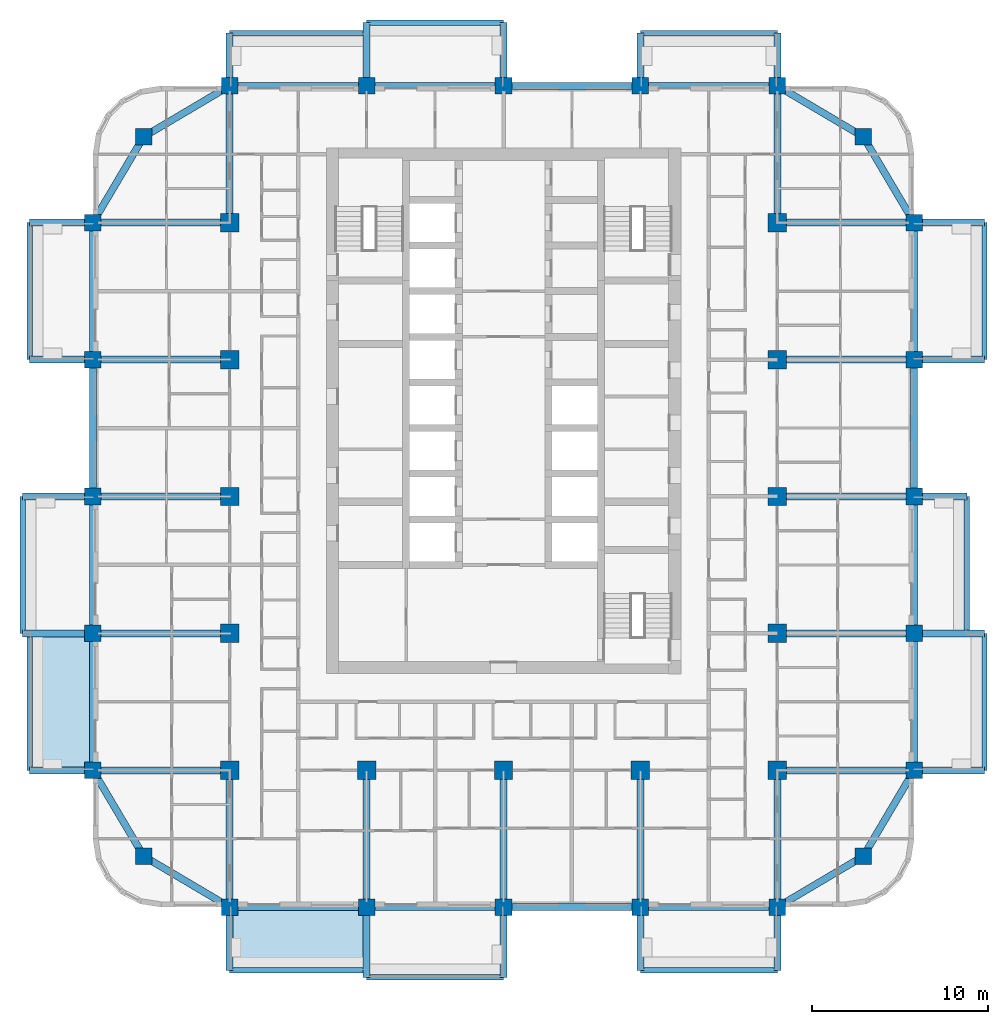
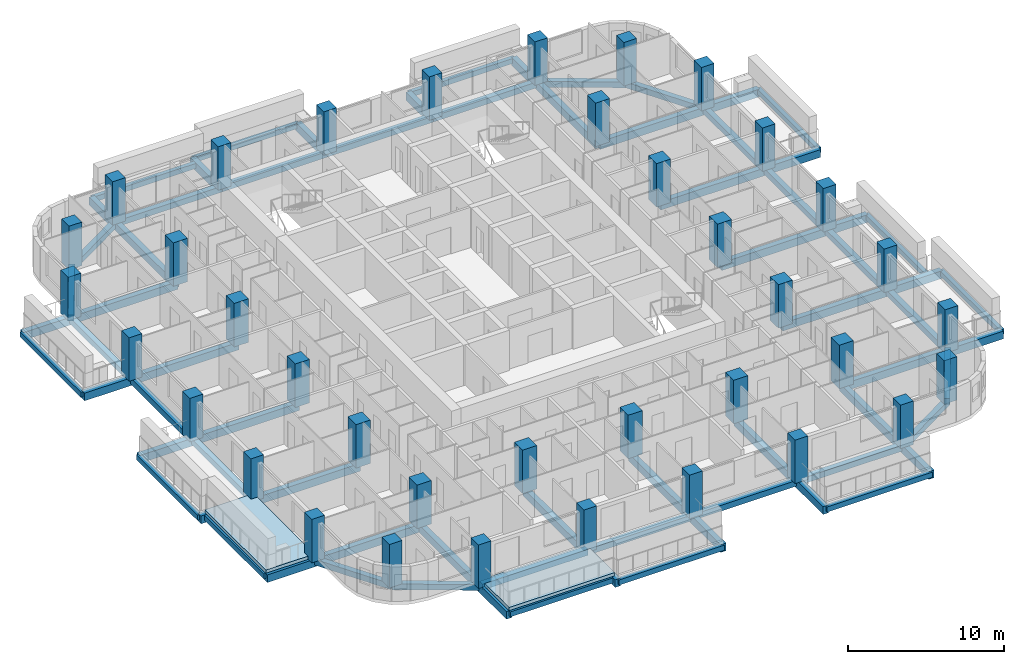
# One storey, part 1 of 18: 73 beams, 37 columns, 2 slabs.
"""IFC4 building model written with IfcOpenShell, lengths in metres."""

from ifc_helpers import new_model, si_unit, direction, frame, origin, origin_2d, place, context, subcontext, project, spatial, polyline, rectangle, outline, extrude, material, layer, layer_set, material_profile, profile_set, type_object, element, save


model = new_model("IFC4")

# Units and contexts
model_context = context("Model", 3, precision=1e-05, world=origin(), true_north=direction((0.0, 1.0)))
body_context = subcontext(model_context, "Body", "Model", "MODEL_VIEW")
ifc_project = project(units=[si_unit("LENGTHUNIT", "METRE"), si_unit("AREAUNIT", "SQUARE_METRE"), si_unit("VOLUMEUNIT", "CUBIC_METRE"), si_unit("PLANEANGLEUNIT", "RADIAN"), si_unit("MASSUNIT", "GRAM", prefix="KILO")], contexts=[model_context])

# Site, building, storey
site_placement = place(None, origin())
site = spatial("IfcSite", under=ifc_project, at=site_placement, CompositionType="ELEMENT")
building_placement = place(site_placement, origin())
building = spatial("IfcBuilding", under=site, at=building_placement, Name="Ludao Terraces", CompositionType="ELEMENT")
storey_placement = place(building_placement, frame((0.0, 0.0, 64.800048828125)))
storey = spatial("IfcBuildingStorey", under=building, at=storey_placement, Name="L17", CompositionType="ELEMENT", Elevation=64.800048828125)

# Columns
ifc_material_1 = material(Name="Concrete C55", Category="concrete")
ifc_material_profile_1 = material_profile(ifc_material_1, rectangle(XDim=1.050048828125, YDim=1.050048828125, at=origin_2d()), Name="1050 X 1050")
ifc_profile_set_1 = profile_set([ifc_material_profile_1], Name="Concrete C55")
column_type_1 = type_object("IfcColumnType", Name="RC column 1050x1050 C55", PredefinedType="COLUMN", material=ifc_profile_set_1)
for number, where, z_axis, x_axis, name in (
    (1, (69.39990234375, 49.39990234375, -0.25), (0.0, 0.0, 1.0), (1.0, 0.0, 0.0), "Column L17 S0078x0078"),
    (2, (69.39990234375, 57.199951171875, -0.25), (0.0, 0.0, 1.0), (1.0, 0.0, 0.0), "Column L17 S0078x0156"),
    (3, (69.39990234375, 65.0, -0.25), (0.0, 0.0, 1.0), (1.0, 0.0, 0.0), "Column L17 S0078x0234"),
    (4, (69.39990234375, 72.800048828125, -0.25), (0.0, 0.0, 1.0), (1.0, 0.0, 0.0), "Column L17 S0078x0312"),
    (5, (69.39990234375, 80.60009765625, -0.25), (0.0, 0.0, 1.0), (1.0, 0.0, 0.0), "Column L17 S0078x0390"),
    (6, (77.199951171875, 49.39990234375, -0.25), (0.0, 0.0, 1.0), (1.0, 0.0, 0.0), "Column L17 S0156x0078"),
    (7, (85.0, 49.39990234375, -0.25), (0.0, 0.0, 1.0), (1.0, 0.0, 0.0), "Column L17 S0234x0078"),
    (8, (92.800048828125, 49.39990234375, -0.25), (0.0, 0.0, 1.0), (1.0, 0.0, 0.0), "Column L17 S0312x0078"),
    (9, (100.60009765625, 49.39990234375, -0.25), (0.0, 0.0, 1.0), (1.0, 0.0, 0.0), "Column L17 S0390x0078"),
    (10, (100.60009765625, 57.199951171875, -0.25), (0.0, 0.0, 1.0), (1.0, 0.0, 0.0), "Column L17 S0390x0156"),
    (11, (100.60009765625, 65.0, -0.25), (0.0, 0.0, 1.0), (1.0, 0.0, 0.0), "Column L17 S0390x0234"),
    (12, (100.60009765625, 72.800048828125, -0.25), (0.0, 0.0, 1.0), (1.0, 0.0, 0.0), "Column L17 S0390x0312"),
    (13, (100.60009765625, 80.60009765625, -0.25), (0.0, 0.0, 1.0), (1.0, 0.0, 0.0), "Column L17 S0390x0390"),
):
    element("IfcColumn", number, at=place(storey_placement, frame(where, z_axis=z_axis, x_axis=x_axis)), inside=storey, type_object=column_type_1, Name=name, PredefinedType="COLUMN", context=body_context, shape_type="SweptSolid", body=[
        extrude(rectangle(XDim=1.050048828125, YDim=1.050048828125, at=origin_2d()), origin(), (0.0, 0.0, 1.0), 3.39990234375),
    ])
ifc_material_profile_2 = material_profile(ifc_material_1, rectangle(XDim=0.949951171875, YDim=0.949951171875, at=origin_2d()), Name="950 X 950")
ifc_profile_set_2 = profile_set([ifc_material_profile_2], Name="Concrete C55")
column_type_2 = type_object("IfcColumnType", Name="RC column 950x950 C55", PredefinedType="COLUMN", material=ifc_profile_set_2)
for number, where, z_axis, x_axis, name in (
    (14, (64.5, 44.5, -0.25), (0.0, 0.0, 1.0), (1.0, 0.0, 0.0), "Column L17 C0029x0029"),
    (15, (105.5, 44.5, -0.25), (0.0, 0.0, 1.0), (1.0, 0.0, 0.0), "Column L17 C0439x0029"),
    (16, (64.5, 85.5, -0.25), (0.0, 0.0, 1.0), (1.0, 0.0, 0.0), "Column L17 C0029x0439"),
    (17, (105.5, 85.5, -0.25), (0.0, 0.0, 1.0), (1.0, 0.0, 0.0), "Column L17 C0439x0439"),
    (18, (61.60009765625, 49.39990234375, -0.25), (0.0, 0.0, 1.0), (1.0, 0.0, 0.0), "Column L17 F0000x0078"),
    (19, (108.39990234375, 49.39990234375, -0.25), (0.0, 0.0, 1.0), (1.0, 0.0, 0.0), "Column L17 F0468x0078"),
    (20, (69.39990234375, 41.60009765625, -0.25), (0.0, 0.0, 1.0), (1.0, 0.0, 0.0), "Column L17 F0078x0000"),
    (21, (69.39990234375, 88.39990234375, -0.25), (0.0, 0.0, 1.0), (1.0, 0.0, 0.0), "Column L17 F0078x0468"),
    (22, (61.60009765625, 57.199951171875, -0.25), (0.0, 0.0, 1.0), (1.0, 0.0, 0.0), "Column L17 F0000x0156"),
    (23, (108.39990234375, 57.199951171875, -0.25), (0.0, 0.0, 1.0), (1.0, 0.0, 0.0), "Column L17 F0468x0156"),
    (24, (77.199951171875, 41.60009765625, -0.25), (0.0, 0.0, 1.0), (1.0, 0.0, 0.0), "Column L17 F0156x0000"),
    (25, (77.199951171875, 88.39990234375, -0.25), (0.0, 0.0, 1.0), (1.0, 0.0, 0.0), "Column L17 F0156x0468"),
    (26, (61.60009765625, 65.0, -0.25), (0.0, 0.0, 1.0), (1.0, 0.0, 0.0), "Column L17 F0000x0234"),
    (27, (108.39990234375, 65.0, -0.25), (0.0, 0.0, 1.0), (1.0, 0.0, 0.0), "Column L17 F0468x0234"),
    (28, (85.0, 41.60009765625, -0.25), (0.0, 0.0, 1.0), (1.0, 0.0, 0.0), "Column L17 F0234x0000"),
    (29, (85.0, 88.39990234375, -0.25), (0.0, 0.0, 1.0), (1.0, 0.0, 0.0), "Column L17 F0234x0468"),
    (30, (61.60009765625, 72.800048828125, -0.25), (0.0, 0.0, 1.0), (1.0, 0.0, 0.0), "Column L17 F0000x0312"),
    (31, (108.39990234375, 72.800048828125, -0.25), (0.0, 0.0, 1.0), (1.0, 0.0, 0.0), "Column L17 F0468x0312"),
    (32, (92.800048828125, 41.60009765625, -0.25), (0.0, 0.0, 1.0), (1.0, 0.0, 0.0), "Column L17 F0312x0000"),
    (33, (92.800048828125, 88.39990234375, -0.25), (0.0, 0.0, 1.0), (1.0, 0.0, 0.0), "Column L17 F0312x0468"),
    (34, (61.60009765625, 80.60009765625, -0.25), (0.0, 0.0, 1.0), (1.0, 0.0, 0.0), "Column L17 F0000x0390"),
    (35, (108.39990234375, 80.60009765625, -0.25), (0.0, 0.0, 1.0), (1.0, 0.0, 0.0), "Column L17 F0468x0390"),
    (36, (100.60009765625, 41.60009765625, -0.25), (0.0, 0.0, 1.0), (1.0, 0.0, 0.0), "Column L17 F0390x0000"),
    (37, (100.60009765625, 88.39990234375, -0.25), (0.0, 0.0, 1.0), (1.0, 0.0, 0.0), "Column L17 F0390x0468"),
):
    element("IfcColumn", number, at=place(storey_placement, frame(where, z_axis=z_axis, x_axis=x_axis)), inside=storey, type_object=column_type_2, Name=name, PredefinedType="COLUMN", context=body_context, shape_type="SweptSolid", body=[
        extrude(rectangle(XDim=0.949951171875, YDim=0.949951171875, at=origin_2d()), origin(), (0.0, 0.0, 1.0), 3.39990234375),
    ])

# Beams
ifc_material_2 = material(Name="Concrete C40", Category="concrete")
ifc_material_profile_3 = material_profile(ifc_material_2, rectangle(XDim=0.300048828125, YDim=0.39990234375, at=origin_2d()), Name="300 X 400")
ifc_profile_set_3 = profile_set([ifc_material_profile_3], Name="Concrete C40")
beam_type_1 = type_object("IfcBeamType", Name="RC beam 300x400 C40", PredefinedType="BEAM", material=ifc_profile_set_3)
for number, where, z_axis, x_axis, name in (
    (38, (69.39990234375, 38.0, -0.449951171875), (1.0, 0.0, 0.0), (0.0, 1.0, 0.0), "Balcony edge beam L17 S1"),
    (39, (77.199951171875, 37.60009765625, -0.449951171875), (1.0, 0.0, 0.0), (0.0, 1.0, 0.0), "Balcony edge beam L17 S2"),
    (40, (92.800048828125, 38.0, -0.449951171875), (1.0, 0.0, 0.0), (0.0, 1.0, 0.0), "Balcony edge beam L17 S4"),
    (41, (112.39990234375, 49.39990234375, -0.449951171875), (0.0, 1.0, 0.0), (-1.0, 0.0, 0.0), "Balcony edge beam L17 E1"),
    (42, (111.39990234375, 57.199951171875, -0.449951171875), (0.0, 1.0, 0.0), (-1.0, 0.0, 0.0), "Balcony edge beam L17 E2"),
    (43, (112.39990234375, 72.800048828125, -0.449951171875), (0.0, 1.0, 0.0), (-1.0, 0.0, 0.0), "Balcony edge beam L17 E4"),
    (44, (69.39990234375, 91.39990234375, -0.449951171875), (1.0, 0.0, 0.0), (0.0, 1.0, 0.0), "Balcony edge beam L17 N1"),
    (45, (77.199951171875, 92.0, -0.449951171875), (1.0, 0.0, 0.0), (0.0, 1.0, 0.0), "Balcony edge beam L17 N2"),
    (46, (92.800048828125, 91.39990234375, -0.449951171875), (1.0, 0.0, 0.0), (0.0, 1.0, 0.0), "Balcony edge beam L17 N4"),
    (47, (58.0, 49.39990234375, -0.449951171875), (0.0, 1.0, 0.0), (-1.0, 0.0, 0.0), "Balcony edge beam L17 W1"),
    (48, (57.60009765625, 57.199951171875, -0.449951171875), (0.0, 1.0, 0.0), (-1.0, 0.0, 0.0), "Balcony edge beam L17 W2"),
    (49, (58.0, 72.800048828125, -0.449951171875), (0.0, 1.0, 0.0), (-1.0, 0.0, 0.0), "Balcony edge beam L17 W4"),
):
    element("IfcBeam", number, at=place(storey_placement, frame(where, z_axis=z_axis, x_axis=x_axis)), inside=storey, type_object=beam_type_1, Name=name, PredefinedType="BEAM", context=body_context, shape_type="SweptSolid", body=[
        extrude(rectangle(XDim=0.300048828125, YDim=0.39990234375, at=origin_2d()), origin(), (0.0, 0.0, 1.0), 7.800048828125),
    ])
ifc_material_profile_4 = material_profile(ifc_material_2, rectangle(XDim=0.39990234375, YDim=0.449951171875, at=origin_2d()), Name="400 X 450")
ifc_profile_set_4 = profile_set([ifc_material_profile_4], Name="Concrete C40")
beam_type_2 = type_object("IfcBeamType", Name="RC beam 400x450 C40", PredefinedType="BEAM", material=ifc_profile_set_4)
beam_1_placement = place(storey_placement, frame((64.5, 44.5, -0.47509765625), z_axis=(0.860579751256, -0.509315709288, 0.0), x_axis=(0.509315709288, 0.860579751256, 0.0)))
element("IfcBeam", 50, at=beam_1_placement, inside=storey, type_object=beam_type_2, Name="Spandrel beam L17 S1", PredefinedType="BEAM", context=body_context, shape_type="SweptSolid", body=[
    extrude(rectangle(XDim=0.39990234375, YDim=0.449951171875, at=origin_2d()), origin(), (0.0, 0.0, 1.0), 5.693603515625),
])
for number, where, z_axis, x_axis, name in (
    (51, (69.39990234375, 41.60009765625, -0.47509765625), (1.0, 0.0, 0.0), (0.0, 1.0, 0.0), "Spandrel beam L17 S2"),
    (52, (77.199951171875, 41.60009765625, -0.47509765625), (1.0, 0.0, 0.0), (0.0, 1.0, 0.0), "Spandrel beam L17 S3"),
    (53, (85.0, 41.60009765625, -0.47509765625), (1.0, 0.0, 0.0), (0.0, 1.0, 0.0), "Spandrel beam L17 S4"),
    (54, (92.800048828125, 41.60009765625, -0.47509765625), (1.0, 0.0, 0.0), (0.0, 1.0, 0.0), "Spandrel beam L17 S5"),
):
    element("IfcBeam", number, at=place(storey_placement, frame(where, z_axis=z_axis, x_axis=x_axis)), inside=storey, type_object=beam_type_2, Name=name, PredefinedType="BEAM", context=body_context, shape_type="SweptSolid", body=[
        extrude(rectangle(XDim=0.39990234375, YDim=0.449951171875, at=origin_2d()), origin(), (0.0, 0.0, 1.0), 7.800048828125),
    ])
for number, where, z_axis, x_axis, name in (
    (55, (100.60009765625, 41.60009765625, -0.47509765625), (0.860579751256, 0.509315709288, 0.0), (-0.509315709288, 0.860579751256, 0.0), "Spandrel beam L17 S6"),
    (56, (64.5, 85.5, -0.47509765625), (0.860579751256, 0.509315709288, 0.0), (-0.509315709288, 0.860579751256, 0.0), "Spandrel beam L17 N7"),
):
    element("IfcBeam", number, at=place(storey_placement, frame(where, z_axis=z_axis, x_axis=x_axis)), inside=storey, type_object=beam_type_2, Name=name, PredefinedType="BEAM", context=body_context, shape_type="SweptSolid", body=[
        extrude(rectangle(XDim=0.39990234375, YDim=0.449951171875, at=origin_2d()), origin(), (0.0, 0.0, 1.0), 5.693603515625),
    ])
for number, where, z_axis, x_axis, name in (
    (57, (69.39990234375, 88.39990234375, -0.47509765625), (1.0, 0.0, 0.0), (0.0, 1.0, 0.0), "Spandrel beam L17 N8"),
    (58, (77.199951171875, 88.39990234375, -0.47509765625), (1.0, 0.0, 0.0), (0.0, 1.0, 0.0), "Spandrel beam L17 N9"),
    (59, (85.0, 88.39990234375, -0.47509765625), (1.0, 0.0, 0.0), (0.0, 1.0, 0.0), "Spandrel beam L17 N10"),
    (60, (92.800048828125, 88.39990234375, -0.47509765625), (1.0, 0.0, 0.0), (0.0, 1.0, 0.0), "Spandrel beam L17 N11"),
):
    element("IfcBeam", number, at=place(storey_placement, frame(where, z_axis=z_axis, x_axis=x_axis)), inside=storey, type_object=beam_type_2, Name=name, PredefinedType="BEAM", context=body_context, shape_type="SweptSolid", body=[
        extrude(rectangle(XDim=0.39990234375, YDim=0.449951171875, at=origin_2d()), origin(), (0.0, 0.0, 1.0), 7.800048828125),
    ])
for number, where, z_axis, x_axis, name in (
    (61, (100.60009765625, 88.39990234375, -0.47509765625), (0.860579751256, -0.509315709288, 0.0), (0.509315709288, 0.860579751256, 0.0), "Spandrel beam L17 N12"),
    (62, (64.5, 44.5, -0.47509765625), (-0.509315709288, 0.860579751256, 0.0), (-0.860579751256, -0.509315709288, 0.0), "Spandrel beam L17 W13"),
):
    element("IfcBeam", number, at=place(storey_placement, frame(where, z_axis=z_axis, x_axis=x_axis)), inside=storey, type_object=beam_type_2, Name=name, PredefinedType="BEAM", context=body_context, shape_type="SweptSolid", body=[
        extrude(rectangle(XDim=0.39990234375, YDim=0.449951171875, at=origin_2d()), origin(), (0.0, 0.0, 1.0), 5.693603515625),
    ])
for number, where, z_axis, x_axis, name in (
    (63, (61.60009765625, 49.39990234375, -0.47509765625), (0.0, 1.0, 0.0), (-1.0, 0.0, 0.0), "Spandrel beam L17 W14"),
    (64, (61.60009765625, 57.199951171875, -0.47509765625), (0.0, 1.0, 0.0), (-1.0, 0.0, 0.0), "Spandrel beam L17 W15"),
    (65, (61.60009765625, 65.0, -0.47509765625), (0.0, 1.0, 0.0), (-1.0, 0.0, 0.0), "Spandrel beam L17 W16"),
    (66, (61.60009765625, 72.800048828125, -0.47509765625), (0.0, 1.0, 0.0), (-1.0, 0.0, 0.0), "Spandrel beam L17 W17"),
):
    element("IfcBeam", number, at=place(storey_placement, frame(where, z_axis=z_axis, x_axis=x_axis)), inside=storey, type_object=beam_type_2, Name=name, PredefinedType="BEAM", context=body_context, shape_type="SweptSolid", body=[
        extrude(rectangle(XDim=0.39990234375, YDim=0.449951171875, at=origin_2d()), origin(), (0.0, 0.0, 1.0), 7.800048828125),
    ])
for number, where, z_axis, x_axis, name in (
    (67, (61.60009765625, 80.60009765625, -0.47509765625), (0.509315709288, 0.860579751256, 0.0), (-0.860579751256, 0.509315709288, 0.0), "Spandrel beam L17 W18"),
    (68, (105.5, 44.5, -0.47509765625), (0.509315709288, 0.860579751256, 0.0), (-0.860579751256, 0.509315709288, 0.0), "Spandrel beam L17 E19"),
):
    element("IfcBeam", number, at=place(storey_placement, frame(where, z_axis=z_axis, x_axis=x_axis)), inside=storey, type_object=beam_type_2, Name=name, PredefinedType="BEAM", context=body_context, shape_type="SweptSolid", body=[
        extrude(rectangle(XDim=0.39990234375, YDim=0.449951171875, at=origin_2d()), origin(), (0.0, 0.0, 1.0), 5.693603515625),
    ])
for number, where, z_axis, x_axis, name in (
    (69, (108.39990234375, 49.39990234375, -0.47509765625), (0.0, 1.0, 0.0), (-1.0, 0.0, 0.0), "Spandrel beam L17 E20"),
    (70, (108.39990234375, 57.199951171875, -0.47509765625), (0.0, 1.0, 0.0), (-1.0, 0.0, 0.0), "Spandrel beam L17 E21"),
    (71, (108.39990234375, 65.0, -0.47509765625), (0.0, 1.0, 0.0), (-1.0, 0.0, 0.0), "Spandrel beam L17 E22"),
    (72, (108.39990234375, 72.800048828125, -0.47509765625), (0.0, 1.0, 0.0), (-1.0, 0.0, 0.0), "Spandrel beam L17 E23"),
):
    element("IfcBeam", number, at=place(storey_placement, frame(where, z_axis=z_axis, x_axis=x_axis)), inside=storey, type_object=beam_type_2, Name=name, PredefinedType="BEAM", context=body_context, shape_type="SweptSolid", body=[
        extrude(rectangle(XDim=0.39990234375, YDim=0.449951171875, at=origin_2d()), origin(), (0.0, 0.0, 1.0), 7.800048828125),
    ])
beam_2_placement = place(storey_placement, frame((108.39990234375, 80.60009765625, -0.47509765625), z_axis=(-0.509315709288, 0.860579751256, 0.0), x_axis=(-0.860579751256, -0.509315709288, 0.0)))
element("IfcBeam", 73, at=beam_2_placement, inside=storey, type_object=beam_type_2, Name="Spandrel beam L17 E24", PredefinedType="BEAM", context=body_context, shape_type="SweptSolid", body=[
    extrude(rectangle(XDim=0.39990234375, YDim=0.449951171875, at=origin_2d()), origin(), (0.0, 0.0, 1.0), 5.693603515625),
])
ifc_material_profile_5 = material_profile(ifc_material_2, rectangle(XDim=0.39990234375, YDim=0.60009765625, at=origin_2d()), Name="400 X 600")
ifc_profile_set_5 = profile_set([ifc_material_profile_5], Name="Concrete C40")
beam_type_3 = type_object("IfcBeamType", Name="RC beam 400x600 C40", PredefinedType="BEAM", material=ifc_profile_set_5)
beam_3_placement = place(storey_placement, frame((100.60009765625, 49.39990234375, -0.550048828125), z_axis=(1.0, 0.0, 0.0), x_axis=(0.0, 1.0, 0.0)))
element("IfcBeam", 74, at=beam_3_placement, inside=storey, type_object=beam_type_3, Name="Balcony beam L17 E494", PredefinedType="BEAM", context=body_context, shape_type="SweptSolid", body=[
    extrude(rectangle(XDim=0.39990234375, YDim=0.60009765625, at=origin_2d()), origin(), (0.0, 0.0, 1.0), 7.7998046875),
])
beam_4_placement = place(storey_placement, frame((108.39990234375, 49.39990234375, -0.550048828125), z_axis=(1.0, 0.0, 0.0), x_axis=(0.0, 1.0, 0.0)))
element("IfcBeam", 75, at=beam_4_placement, inside=storey, type_object=beam_type_3, Name="Balcony beam L17 E494", PredefinedType="BEAM", context=body_context, shape_type="SweptSolid", body=[
    extrude(rectangle(XDim=0.39990234375, YDim=0.60009765625, at=origin_2d()), origin(), (0.0, 0.0, 1.0), 4.0),
])
beam_5_placement = place(storey_placement, frame((100.60009765625, 57.199951171875, -0.550048828125), z_axis=(1.0, 0.0, 0.0), x_axis=(0.0, 1.0, 0.0)))
element("IfcBeam", 76, at=beam_5_placement, inside=storey, type_object=beam_type_3, Name="Balcony beam L17 E572", PredefinedType="BEAM", context=body_context, shape_type="SweptSolid", body=[
    extrude(rectangle(XDim=0.39990234375, YDim=0.60009765625, at=origin_2d()), origin(), (0.0, 0.0, 1.0), 7.7998046875),
])
beam_6_placement = place(storey_placement, frame((108.39990234375, 57.199951171875, -0.550048828125), z_axis=(1.0, 0.0, 0.0), x_axis=(0.0, 1.0, 0.0)))
element("IfcBeam", 77, at=beam_6_placement, inside=storey, type_object=beam_type_3, Name="Balcony beam L17 E572", PredefinedType="BEAM", context=body_context, shape_type="SweptSolid", body=[
    extrude(rectangle(XDim=0.39990234375, YDim=0.60009765625, at=origin_2d()), origin(), (0.0, 0.0, 1.0), 4.0),
])
beam_7_placement = place(storey_placement, frame((100.60009765625, 65.0, -0.550048828125), z_axis=(1.0, 0.0, 0.0), x_axis=(0.0, 1.0, 0.0)))
element("IfcBeam", 78, at=beam_7_placement, inside=storey, type_object=beam_type_3, Name="Balcony beam L17 E650", PredefinedType="BEAM", context=body_context, shape_type="SweptSolid", body=[
    extrude(rectangle(XDim=0.39990234375, YDim=0.60009765625, at=origin_2d()), origin(), (0.0, 0.0, 1.0), 7.7998046875),
])
beam_8_placement = place(storey_placement, frame((108.39990234375, 65.0, -0.550048828125), z_axis=(1.0, 0.0, 0.0), x_axis=(0.0, 1.0, 0.0)))
element("IfcBeam", 79, at=beam_8_placement, inside=storey, type_object=beam_type_3, Name="Balcony beam L17 E650", PredefinedType="BEAM", context=body_context, shape_type="SweptSolid", body=[
    extrude(rectangle(XDim=0.39990234375, YDim=0.60009765625, at=origin_2d()), origin(), (0.0, 0.0, 1.0), 3.0),
])
beam_9_placement = place(storey_placement, frame((100.60009765625, 72.800048828125, -0.550048828125), z_axis=(1.0, 0.0, 0.0), x_axis=(0.0, 1.0, 0.0)))
element("IfcBeam", 80, at=beam_9_placement, inside=storey, type_object=beam_type_3, Name="Balcony beam L17 E728", PredefinedType="BEAM", context=body_context, shape_type="SweptSolid", body=[
    extrude(rectangle(XDim=0.39990234375, YDim=0.60009765625, at=origin_2d()), origin(), (0.0, 0.0, 1.0), 7.7998046875),
])
beam_10_placement = place(storey_placement, frame((108.39990234375, 72.800048828125, -0.550048828125), z_axis=(1.0, 0.0, 0.0), x_axis=(0.0, 1.0, 0.0)))
element("IfcBeam", 81, at=beam_10_placement, inside=storey, type_object=beam_type_3, Name="Balcony beam L17 E728", PredefinedType="BEAM", context=body_context, shape_type="SweptSolid", body=[
    extrude(rectangle(XDim=0.39990234375, YDim=0.60009765625, at=origin_2d()), origin(), (0.0, 0.0, 1.0), 4.0),
])
beam_11_placement = place(storey_placement, frame((100.60009765625, 80.60009765625, -0.550048828125), z_axis=(1.0, 0.0, 0.0), x_axis=(0.0, 1.0, 0.0)))
element("IfcBeam", 82, at=beam_11_placement, inside=storey, type_object=beam_type_3, Name="Balcony beam L17 E806", PredefinedType="BEAM", context=body_context, shape_type="SweptSolid", body=[
    extrude(rectangle(XDim=0.39990234375, YDim=0.60009765625, at=origin_2d()), origin(), (0.0, 0.0, 1.0), 7.7998046875),
])
beam_12_placement = place(storey_placement, frame((108.39990234375, 80.60009765625, -0.550048828125), z_axis=(1.0, 0.0, 0.0), x_axis=(0.0, 1.0, 0.0)))
element("IfcBeam", 83, at=beam_12_placement, inside=storey, type_object=beam_type_3, Name="Balcony beam L17 E806", PredefinedType="BEAM", context=body_context, shape_type="SweptSolid", body=[
    extrude(rectangle(XDim=0.39990234375, YDim=0.60009765625, at=origin_2d()), origin(), (0.0, 0.0, 1.0), 4.0),
])
beam_13_placement = place(storey_placement, frame((100.60009765625, 80.60009765625, -0.550048828125), z_axis=(0.0, 1.0, 0.0), x_axis=(-1.0, 0.0, 0.0)))
element("IfcBeam", 84, at=beam_13_placement, inside=storey, type_object=beam_type_3, Name="Balcony beam L17 N1006", PredefinedType="BEAM", context=body_context, shape_type="SweptSolid", body=[
    extrude(rectangle(XDim=0.39990234375, YDim=0.60009765625, at=origin_2d()), origin(), (0.0, 0.0, 1.0), 7.7998046875),
])
beam_14_placement = place(storey_placement, frame((100.60009765625, 88.39990234375, -0.550048828125), z_axis=(0.0, 1.0, 0.0), x_axis=(-1.0, 0.0, 0.0)))
element("IfcBeam", 85, at=beam_14_placement, inside=storey, type_object=beam_type_3, Name="Balcony beam L17 N1006", PredefinedType="BEAM", context=body_context, shape_type="SweptSolid", body=[
    extrude(rectangle(XDim=0.39990234375, YDim=0.60009765625, at=origin_2d()), origin(), (0.0, 0.0, 1.0), 3.0),
])
beam_15_placement = place(storey_placement, frame((69.39990234375, 80.60009765625, -0.550048828125), z_axis=(0.0, 1.0, 0.0), x_axis=(-1.0, 0.0, 0.0)))
element("IfcBeam", 86, at=beam_15_placement, inside=storey, type_object=beam_type_3, Name="Balcony beam L17 N694", PredefinedType="BEAM", context=body_context, shape_type="SweptSolid", body=[
    extrude(rectangle(XDim=0.39990234375, YDim=0.60009765625, at=origin_2d()), origin(), (0.0, 0.0, 1.0), 7.7998046875),
])
beam_16_placement = place(storey_placement, frame((69.39990234375, 88.39990234375, -0.550048828125), z_axis=(0.0, 1.0, 0.0), x_axis=(-1.0, 0.0, 0.0)))
element("IfcBeam", 87, at=beam_16_placement, inside=storey, type_object=beam_type_3, Name="Balcony beam L17 N694", PredefinedType="BEAM", context=body_context, shape_type="SweptSolid", body=[
    extrude(rectangle(XDim=0.39990234375, YDim=0.60009765625, at=origin_2d()), origin(), (0.0, 0.0, 1.0), 3.0),
])
for number, where, z_axis, x_axis, name in (
    (88, (77.199951171875, 88.39990234375, -0.550048828125), (0.0, 1.0, 0.0), (-1.0, 0.0, 0.0), "Balcony beam L17 N772"),
    (89, (85.0, 88.39990234375, -0.550048828125), (0.0, 1.0, 0.0), (-1.0, 0.0, 0.0), "Balcony beam L17 N850"),
):
    element("IfcBeam", number, at=place(storey_placement, frame(where, z_axis=z_axis, x_axis=x_axis)), inside=storey, type_object=beam_type_3, Name=name, PredefinedType="BEAM", context=body_context, shape_type="SweptSolid", body=[
        extrude(rectangle(XDim=0.39990234375, YDim=0.60009765625, at=origin_2d()), origin(), (0.0, 0.0, 1.0), 3.60009765625),
    ])
beam_17_placement = place(storey_placement, frame((92.800048828125, 88.39990234375, -0.550048828125), z_axis=(0.0, 1.0, 0.0), x_axis=(-1.0, 0.0, 0.0)))
element("IfcBeam", 90, at=beam_17_placement, inside=storey, type_object=beam_type_3, Name="Balcony beam L17 N928", PredefinedType="BEAM", context=body_context, shape_type="SweptSolid", body=[
    extrude(rectangle(XDim=0.39990234375, YDim=0.60009765625, at=origin_2d()), origin(), (0.0, 0.0, 1.0), 3.0),
])
beam_18_placement = place(storey_placement, frame((100.60009765625, 49.39990234375, -0.550048828125), z_axis=(0.0, -1.0, 0.0), x_axis=(1.0, 0.0, 0.0)))
element("IfcBeam", 91, at=beam_18_placement, inside=storey, type_object=beam_type_3, Name="Balcony beam L17 S1006", PredefinedType="BEAM", context=body_context, shape_type="SweptSolid", body=[
    extrude(rectangle(XDim=0.39990234375, YDim=0.60009765625, at=origin_2d()), origin(), (0.0, 0.0, 1.0), 7.7998046875),
])
beam_19_placement = place(storey_placement, frame((100.60009765625, 41.60009765625, -0.550048828125), z_axis=(0.0, -1.0, 0.0), x_axis=(1.0, 0.0, 0.0)))
element("IfcBeam", 92, at=beam_19_placement, inside=storey, type_object=beam_type_3, Name="Balcony beam L17 S1006", PredefinedType="BEAM", context=body_context, shape_type="SweptSolid", body=[
    extrude(rectangle(XDim=0.39990234375, YDim=0.60009765625, at=origin_2d()), origin(), (0.0, 0.0, 1.0), 3.60009765625),
])
beam_20_placement = place(storey_placement, frame((69.39990234375, 49.39990234375, -0.550048828125), z_axis=(0.0, -1.0, 0.0), x_axis=(1.0, 0.0, 0.0)))
element("IfcBeam", 93, at=beam_20_placement, inside=storey, type_object=beam_type_3, Name="Balcony beam L17 S694", PredefinedType="BEAM", context=body_context, shape_type="SweptSolid", body=[
    extrude(rectangle(XDim=0.39990234375, YDim=0.60009765625, at=origin_2d()), origin(), (0.0, 0.0, 1.0), 7.7998046875),
])
beam_21_placement = place(storey_placement, frame((69.39990234375, 41.60009765625, -0.550048828125), z_axis=(0.0, -1.0, 0.0), x_axis=(1.0, 0.0, 0.0)))
element("IfcBeam", 94, at=beam_21_placement, inside=storey, type_object=beam_type_3, Name="Balcony beam L17 S694", PredefinedType="BEAM", context=body_context, shape_type="SweptSolid", body=[
    extrude(rectangle(XDim=0.39990234375, YDim=0.60009765625, at=origin_2d()), origin(), (0.0, 0.0, 1.0), 3.60009765625),
])
beam_22_placement = place(storey_placement, frame((77.199951171875, 49.39990234375, -0.550048828125), z_axis=(0.0, -1.0, 0.0), x_axis=(1.0, 0.0, 0.0)))
element("IfcBeam", 95, at=beam_22_placement, inside=storey, type_object=beam_type_3, Name="Balcony beam L17 S772", PredefinedType="BEAM", context=body_context, shape_type="SweptSolid", body=[
    extrude(rectangle(XDim=0.39990234375, YDim=0.60009765625, at=origin_2d()), origin(), (0.0, 0.0, 1.0), 7.7998046875),
])
beam_23_placement = place(storey_placement, frame((77.199951171875, 41.60009765625, -0.550048828125), z_axis=(0.0, -1.0, 0.0), x_axis=(1.0, 0.0, 0.0)))
element("IfcBeam", 96, at=beam_23_placement, inside=storey, type_object=beam_type_3, Name="Balcony beam L17 S772", PredefinedType="BEAM", context=body_context, shape_type="SweptSolid", body=[
    extrude(rectangle(XDim=0.39990234375, YDim=0.60009765625, at=origin_2d()), origin(), (0.0, 0.0, 1.0), 4.0),
])
beam_24_placement = place(storey_placement, frame((85.0, 49.39990234375, -0.550048828125), z_axis=(0.0, -1.0, 0.0), x_axis=(1.0, 0.0, 0.0)))
element("IfcBeam", 97, at=beam_24_placement, inside=storey, type_object=beam_type_3, Name="Balcony beam L17 S850", PredefinedType="BEAM", context=body_context, shape_type="SweptSolid", body=[
    extrude(rectangle(XDim=0.39990234375, YDim=0.60009765625, at=origin_2d()), origin(), (0.0, 0.0, 1.0), 7.7998046875),
])
beam_25_placement = place(storey_placement, frame((85.0, 41.60009765625, -0.550048828125), z_axis=(0.0, -1.0, 0.0), x_axis=(1.0, 0.0, 0.0)))
element("IfcBeam", 98, at=beam_25_placement, inside=storey, type_object=beam_type_3, Name="Balcony beam L17 S850", PredefinedType="BEAM", context=body_context, shape_type="SweptSolid", body=[
    extrude(rectangle(XDim=0.39990234375, YDim=0.60009765625, at=origin_2d()), origin(), (0.0, 0.0, 1.0), 4.0),
])
beam_26_placement = place(storey_placement, frame((92.800048828125, 49.39990234375, -0.550048828125), z_axis=(0.0, -1.0, 0.0), x_axis=(1.0, 0.0, 0.0)))
element("IfcBeam", 99, at=beam_26_placement, inside=storey, type_object=beam_type_3, Name="Balcony beam L17 S928", PredefinedType="BEAM", context=body_context, shape_type="SweptSolid", body=[
    extrude(rectangle(XDim=0.39990234375, YDim=0.60009765625, at=origin_2d()), origin(), (0.0, 0.0, 1.0), 7.7998046875),
])
beam_27_placement = place(storey_placement, frame((92.800048828125, 41.60009765625, -0.550048828125), z_axis=(0.0, -1.0, 0.0), x_axis=(1.0, 0.0, 0.0)))
element("IfcBeam", 100, at=beam_27_placement, inside=storey, type_object=beam_type_3, Name="Balcony beam L17 S928", PredefinedType="BEAM", context=body_context, shape_type="SweptSolid", body=[
    extrude(rectangle(XDim=0.39990234375, YDim=0.60009765625, at=origin_2d()), origin(), (0.0, 0.0, 1.0), 3.60009765625),
])
beam_28_placement = place(storey_placement, frame((69.39990234375, 49.39990234375, -0.550048828125), z_axis=(-1.0, 0.0, 0.0), x_axis=(0.0, -1.0, 0.0)))
element("IfcBeam", 101, at=beam_28_placement, inside=storey, type_object=beam_type_3, Name="Balcony beam L17 W494", PredefinedType="BEAM", context=body_context, shape_type="SweptSolid", body=[
    extrude(rectangle(XDim=0.39990234375, YDim=0.60009765625, at=origin_2d()), origin(), (0.0, 0.0, 1.0), 7.7998046875),
])
beam_29_placement = place(storey_placement, frame((61.60009765625, 49.39990234375, -0.550048828125), z_axis=(-1.0, 0.0, 0.0), x_axis=(0.0, -1.0, 0.0)))
element("IfcBeam", 102, at=beam_29_placement, inside=storey, type_object=beam_type_3, Name="Balcony beam L17 W494", PredefinedType="BEAM", context=body_context, shape_type="SweptSolid", body=[
    extrude(rectangle(XDim=0.39990234375, YDim=0.60009765625, at=origin_2d()), origin(), (0.0, 0.0, 1.0), 3.60009765625),
])
beam_30_placement = place(storey_placement, frame((69.39990234375, 57.199951171875, -0.550048828125), z_axis=(-1.0, 0.0, 0.0), x_axis=(0.0, -1.0, 0.0)))
element("IfcBeam", 103, at=beam_30_placement, inside=storey, type_object=beam_type_3, Name="Balcony beam L17 W572", PredefinedType="BEAM", context=body_context, shape_type="SweptSolid", body=[
    extrude(rectangle(XDim=0.39990234375, YDim=0.60009765625, at=origin_2d()), origin(), (0.0, 0.0, 1.0), 7.7998046875),
])
beam_31_placement = place(storey_placement, frame((61.60009765625, 57.199951171875, -0.550048828125), z_axis=(-1.0, 0.0, 0.0), x_axis=(0.0, -1.0, 0.0)))
element("IfcBeam", 104, at=beam_31_placement, inside=storey, type_object=beam_type_3, Name="Balcony beam L17 W572", PredefinedType="BEAM", context=body_context, shape_type="SweptSolid", body=[
    extrude(rectangle(XDim=0.39990234375, YDim=0.60009765625, at=origin_2d()), origin(), (0.0, 0.0, 1.0), 4.0),
])
beam_32_placement = place(storey_placement, frame((69.39990234375, 65.0, -0.550048828125), z_axis=(-1.0, 0.0, 0.0), x_axis=(0.0, -1.0, 0.0)))
element("IfcBeam", 105, at=beam_32_placement, inside=storey, type_object=beam_type_3, Name="Balcony beam L17 W650", PredefinedType="BEAM", context=body_context, shape_type="SweptSolid", body=[
    extrude(rectangle(XDim=0.39990234375, YDim=0.60009765625, at=origin_2d()), origin(), (0.0, 0.0, 1.0), 7.7998046875),
])
beam_33_placement = place(storey_placement, frame((61.60009765625, 65.0, -0.550048828125), z_axis=(-1.0, 0.0, 0.0), x_axis=(0.0, -1.0, 0.0)))
element("IfcBeam", 106, at=beam_33_placement, inside=storey, type_object=beam_type_3, Name="Balcony beam L17 W650", PredefinedType="BEAM", context=body_context, shape_type="SweptSolid", body=[
    extrude(rectangle(XDim=0.39990234375, YDim=0.60009765625, at=origin_2d()), origin(), (0.0, 0.0, 1.0), 4.0),
])
beam_34_placement = place(storey_placement, frame((69.39990234375, 72.800048828125, -0.550048828125), z_axis=(-1.0, 0.0, 0.0), x_axis=(0.0, -1.0, 0.0)))
element("IfcBeam", 107, at=beam_34_placement, inside=storey, type_object=beam_type_3, Name="Balcony beam L17 W728", PredefinedType="BEAM", context=body_context, shape_type="SweptSolid", body=[
    extrude(rectangle(XDim=0.39990234375, YDim=0.60009765625, at=origin_2d()), origin(), (0.0, 0.0, 1.0), 7.7998046875),
])
beam_35_placement = place(storey_placement, frame((61.60009765625, 72.800048828125, -0.550048828125), z_axis=(-1.0, 0.0, 0.0), x_axis=(0.0, -1.0, 0.0)))
element("IfcBeam", 108, at=beam_35_placement, inside=storey, type_object=beam_type_3, Name="Balcony beam L17 W728", PredefinedType="BEAM", context=body_context, shape_type="SweptSolid", body=[
    extrude(rectangle(XDim=0.39990234375, YDim=0.60009765625, at=origin_2d()), origin(), (0.0, 0.0, 1.0), 3.60009765625),
])
beam_36_placement = place(storey_placement, frame((69.39990234375, 80.60009765625, -0.550048828125), z_axis=(-1.0, 0.0, 0.0), x_axis=(0.0, -1.0, 0.0)))
element("IfcBeam", 109, at=beam_36_placement, inside=storey, type_object=beam_type_3, Name="Balcony beam L17 W806", PredefinedType="BEAM", context=body_context, shape_type="SweptSolid", body=[
    extrude(rectangle(XDim=0.39990234375, YDim=0.60009765625, at=origin_2d()), origin(), (0.0, 0.0, 1.0), 7.7998046875),
])
beam_37_placement = place(storey_placement, frame((61.60009765625, 80.60009765625, -0.550048828125), z_axis=(-1.0, 0.0, 0.0), x_axis=(0.0, -1.0, 0.0)))
element("IfcBeam", 110, at=beam_37_placement, inside=storey, type_object=beam_type_3, Name="Balcony beam L17 W806", PredefinedType="BEAM", context=body_context, shape_type="SweptSolid", body=[
    extrude(rectangle(XDim=0.39990234375, YDim=0.60009765625, at=origin_2d()), origin(), (0.0, 0.0, 1.0), 3.60009765625),
])

# Slabs
ifc_layer = layer(ifc_material_2, 0.25)
ifc_layer_set = layer_set([ifc_layer], Name="Balcony slab 250 C40")
slab_type = type_object("IfcSlabType", Name="Balcony slab 250 C40", PredefinedType="USERDEFINED", material=ifc_layer_set)
slab_1_placement = place(storey_placement, frame((0.0, 0.0, -0.25)))
element("IfcSlab", 111, at=slab_1_placement, inside=storey, type_object=slab_type, Name="Balcony L17 S1", ObjectType="BALCONY", PredefinedType="USERDEFINED", context=body_context, shape_type="SweptSolid", body=[
    extrude(outline(polyline([(69.39990234375, 38.0), (77.199951171875, 38.0), (77.199951171875, 41.60009765625), (69.39990234375, 41.60009765625), (69.39990234375, 38.0)])), origin(), (0.0, 0.0, 1.0), 0.25),
])
slab_2_placement = place(storey_placement, frame((0.0, 0.0, -0.25)))
element("IfcSlab", 112, at=slab_2_placement, inside=storey, type_object=slab_type, Name="Balcony L17 W1", ObjectType="BALCONY", PredefinedType="USERDEFINED", context=body_context, shape_type="SweptSolid", body=[
    extrude(outline(polyline([(58.0, 49.39990234375), (61.60009765625, 49.39990234375), (61.60009765625, 57.199951171875), (58.0, 57.199951171875), (58.0, 49.39990234375)])), origin(), (0.0, 0.0, 1.0), 0.25),
])

save(model, "model.ifc")
